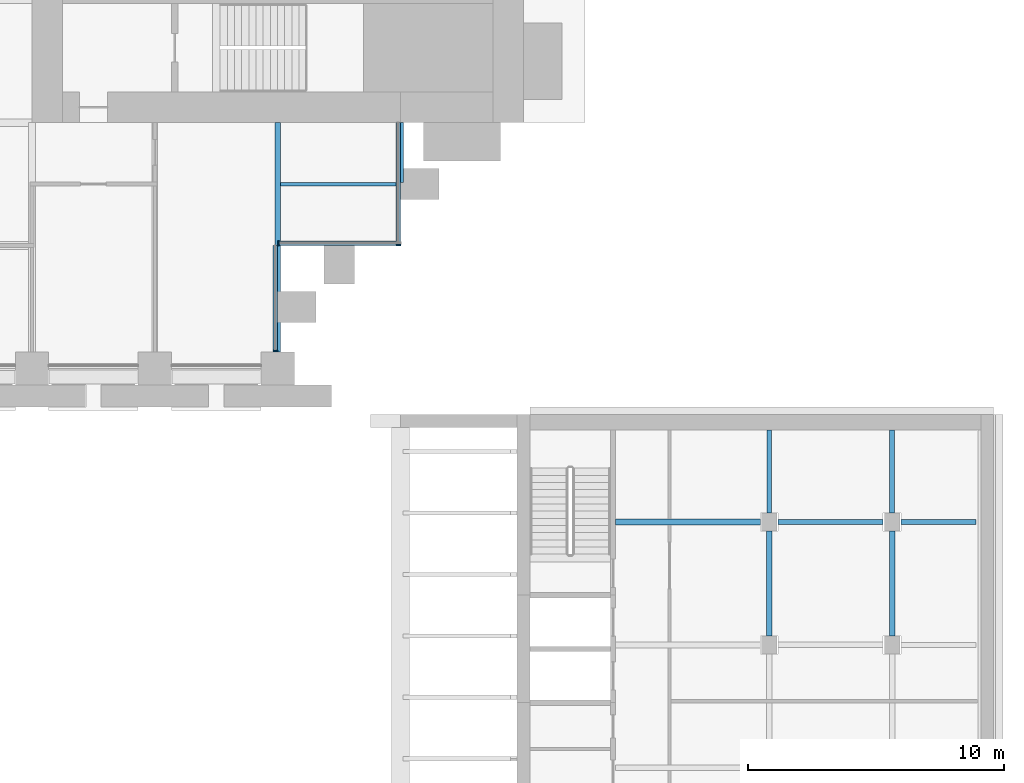
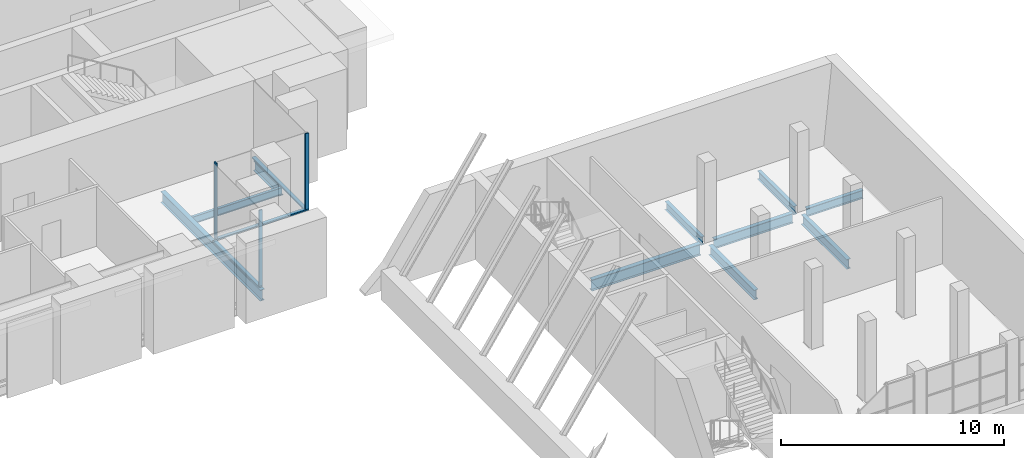
# One storey, part 13 of 32: 10 beams, 6 members, 3 elements without a shape of their own.
"""IFC4 building model written with IfcOpenShell, lengths in metres."""

from ifc_helpers import new_model, si_unit, direction, frame, origin, origin_2d, place, context, subcontext, project, spatial, rectangle, i_section, extrude, material, material_profile, profile_set, type_object, element, aggregate, save


model = new_model("IFC4")

# Units and contexts
model_context = context("Model", 3, precision=1e-05, world=origin(), true_north=direction((0.0, 1.0)))
body_context = subcontext(model_context, "Body", "Model", "MODEL_VIEW")
ifc_project = project(units=[si_unit("LENGTHUNIT", "METRE"), si_unit("AREAUNIT", "SQUARE_METRE"), si_unit("VOLUMEUNIT", "CUBIC_METRE"), si_unit("PLANEANGLEUNIT", "RADIAN"), si_unit("MASSUNIT", "GRAM", prefix="KILO")], contexts=[model_context])

# Site, building, storey
site_placement = place(None, origin())
site = spatial("IfcSite", under=ifc_project, at=site_placement, CompositionType="ELEMENT")
building_placement = place(site_placement, origin())
building = spatial("IfcBuilding", under=site, at=building_placement, Name="Baori Bourse Tower", CompositionType="ELEMENT")
storey_placement = place(building_placement, frame((0.0, 0.0, 21.39990234375)))
storey = spatial("IfcBuildingStorey", under=building, at=storey_placement, Name="L03", CompositionType="ELEMENT", Elevation=21.39990234375)

# Curtain wall, member
ifc_material_1 = material(Name="Pale anodised aluminium", Category="aluminium")
curtain_wall_type = type_object("IfcCurtainWallType", Name="CW2 Curtain wall", PredefinedType="NOTDEFINED", material=ifc_material_1)
curtain_wall_1_placement = place(storey_placement, origin())
curtain_wall_1 = element("IfcCurtainWall", 1, at=curtain_wall_1_placement, inside=storey, type_object=curtain_wall_type, Name="Curtain wall CW2 L03 16", PredefinedType="NOTDEFINED")
ifc_material_2 = material(Name="Pale anodised aluminium", Category="aluminium")
ifc_material_profile_1 = material_profile(ifc_material_2, rectangle(XDim=0.179931640625, YDim=0.054931640625, at=origin_2d()), Name="Mullion 55x180")
ifc_profile_set_1 = profile_set([ifc_material_profile_1], Name="Pale anodised aluminium")
member_type_1 = type_object("IfcMemberType", Name="CW2 Curtain wall mullion", PredefinedType="MULLION", material=ifc_profile_set_1)
member_1_placement = place(storey_placement, frame((47.909912109375, 0.677490234375, 0.070068359375), z_axis=(0.0, 0.0, 1.0), x_axis=(-1.0, 0.0, 0.0)))
member_1 = element("IfcMember", 2, at=member_1_placement, type_object=member_type_1, Name="Curtain wall CW2 mullion", PredefinedType="MULLION", context=body_context, shape_type="SweptSolid", body=[
    extrude(rectangle(XDim=0.179931640625, YDim=0.054931640625, at=origin_2d()), origin(), (0.0, 0.0, 1.0), 4.169921875),
])

curtain_wall_2_placement = place(storey_placement, origin())
curtain_wall_2 = element("IfcCurtainWall", 3, at=curtain_wall_2_placement, inside=storey, type_object=curtain_wall_type, Name="Curtain wall CW2 L03 17", PredefinedType="NOTDEFINED")
member_2_placement = place(storey_placement, frame((48.027587890625, 4.889892578125, 0.070068359375), z_axis=(0.0, 0.0, 1.0), x_axis=(0.0, 1.0, 0.0)))
member_2 = element("IfcMember", 4, at=member_2_placement, type_object=member_type_1, Name="Curtain wall CW2 mullion", PredefinedType="MULLION", context=body_context, shape_type="SweptSolid", body=[
    extrude(rectangle(XDim=0.179931640625, YDim=0.054931640625, at=origin_2d()), origin(), (0.0, 0.0, 1.0), 4.169921875),
])

curtain_wall_3_placement = place(storey_placement, origin())
curtain_wall_3 = element("IfcCurtainWall", 5, at=curtain_wall_3_placement, inside=storey, type_object=curtain_wall_type, Name="Curtain wall CW2 L03 18", PredefinedType="NOTDEFINED")
member_3_placement = place(storey_placement, frame((52.7099609375, 4.827392578125, 0.070068359375), z_axis=(0.0, 0.0, 1.0), x_axis=(-1.0, 0.0, 0.0)))
member_3 = element("IfcMember", 6, at=member_3_placement, type_object=member_type_1, Name="Curtain wall CW2 mullion", PredefinedType="MULLION", context=body_context, shape_type="SweptSolid", body=[
    extrude(rectangle(XDim=0.179931640625, YDim=0.054931640625, at=origin_2d()), origin(), (0.0, 0.0, 1.0), 4.169921875),
])

# Member
ifc_material_3 = material(Name="Pale anodised aluminium", Category="aluminium")
ifc_material_profile_2 = material_profile(ifc_material_3, rectangle(XDim=0.179931640625, YDim=0.070068359375, at=origin_2d()), Name="Transom 70x180")
ifc_profile_set_2 = profile_set([ifc_material_profile_2], Name="Pale anodised aluminium")
member_type_2 = type_object("IfcMemberType", Name="CW2 Curtain wall transom", PredefinedType="USERDEFINED", material=ifc_profile_set_2)
member_4_placement = place(storey_placement, frame((47.909912109375, 0.64990234375, 0.03515625), z_axis=(0.0, 1.0, 0.0), x_axis=(-1.0, 0.0, 0.0)))
member_4 = element("IfcMember", 7, at=member_4_placement, type_object=member_type_2, Name="Curtain wall CW2 sill rail", ObjectType="TRANSOM", PredefinedType="USERDEFINED", context=body_context, shape_type="SweptSolid", body=[
    extrude(rectangle(XDim=0.179931640625, YDim=0.070068359375, at=origin_2d()), origin(), (0.0, 0.0, 1.0), 4.150146484375),
])

aggregate(curtain_wall_1, [member_4, member_1])

member_5_placement = place(storey_placement, frame((48.0, 4.889892578125, 0.03515625), z_axis=(1.0, 0.0, 0.0), x_axis=(0.0, 1.0, 0.0)))
member_5 = element("IfcMember", 8, at=member_5_placement, type_object=member_type_2, Name="Curtain wall CW2 sill rail", ObjectType="TRANSOM", PredefinedType="USERDEFINED", context=body_context, shape_type="SweptSolid", body=[
    extrude(rectangle(XDim=0.179931640625, YDim=0.070068359375, at=origin_2d()), origin(), (0.0, 0.0, 1.0), 4.800048828125),
])

aggregate(curtain_wall_2, [member_5, member_2])

member_6_placement = place(storey_placement, frame((52.7099609375, 4.800048828125, 0.03515625), z_axis=(0.0, 1.0, 0.0), x_axis=(-1.0, 0.0, 0.0)))
member_6 = element("IfcMember", 9, at=member_6_placement, type_object=member_type_2, Name="Curtain wall CW2 sill rail", ObjectType="TRANSOM", PredefinedType="USERDEFINED", context=body_context, shape_type="SweptSolid", body=[
    extrude(rectangle(XDim=0.179931640625, YDim=0.070068359375, at=origin_2d()), origin(), (0.0, 0.0, 1.0), 4.800048828125),
])

aggregate(curtain_wall_3, [member_6, member_3])

# Beams
ifc_material_4 = material(Name="Steel A992 Gr 50", Category="steel")
ifc_material_profile_3 = material_profile(ifc_material_4, i_section(OverallWidth=0.21240234375, OverallDepth=0.54345703125, WebThickness=0.01318359375, FlangeThickness=0.021240234375, at=origin_2d()), Name="W21x83")
ifc_profile_set_3 = profile_set([ifc_material_profile_3], Name="Steel A992 Gr 50")
beam_type_1 = type_object("IfcBeamType", Name="Core bracket W21x83", PredefinedType="BEAM", material=ifc_profile_set_3)
beam_1_placement = place(storey_placement, frame((52.800048828125, 7.270263671875, -0.431640625), z_axis=(0.0, 1.0, 0.0), x_axis=(-1.0, 0.0, 0.0)))
element("IfcBeam", 10, at=beam_1_placement, inside=storey, type_object=beam_type_1, Name="Core bracket L03", PredefinedType="BEAM", context=body_context, shape_type="SweptSolid", body=[
    extrude(i_section(OverallWidth=0.21240234375, OverallDepth=0.54345703125, WebThickness=0.01318359375, FlangeThickness=0.021240234375, at=origin_2d()), origin(), (0.0, 0.0, 1.0), 2.329833984375),
])
ifc_material_5 = material(Name="Steel A992 Gr 50", Category="steel")
ifc_material_profile_4 = material_profile(ifc_material_5, i_section(OverallWidth=0.227783203125, OverallDepth=0.60205078125, WebThickness=0.010498046875, FlangeThickness=0.014892578125, at=origin_2d()), Name="W24x68")
ifc_profile_set_4 = profile_set([ifc_material_profile_4], Name="Steel A992 Gr 50")
beam_type_2 = type_object("IfcBeamType", Name="Floor beam W24x68", PredefinedType="BEAM", material=ifc_profile_set_4)
beam_2_placement = place(storey_placement, frame((48.0, 0.64990234375, -0.4609375), z_axis=(0.0, 1.0, 0.0), x_axis=(-1.0, 0.0, 0.0)))
element("IfcBeam", 11, at=beam_2_placement, inside=storey, type_object=beam_type_2, Name="Floor beam L03", PredefinedType="BEAM", context=body_context, shape_type="SweptSolid", body=[
    extrude(i_section(OverallWidth=0.227783203125, OverallDepth=0.60205078125, WebThickness=0.010498046875, FlangeThickness=0.014892578125, at=origin_2d()), origin(), (0.0, 0.0, 1.0), 8.9501953125),
])
ifc_material_6 = material(Name="Steel A992 Gr 50", Category="steel")
ifc_material_profile_5 = material_profile(ifc_material_6, i_section(OverallWidth=0.140380859375, OverallDepth=0.40380859375, WebThickness=0.007080078125, FlangeThickness=0.01123046875, at=origin_2d()), Name="W16x31")
ifc_profile_set_5 = profile_set([ifc_material_profile_5], Name="Steel A992 Gr 50")
beam_type_3 = type_object("IfcBeamType", Name="Trimmer beam W16x31", PredefinedType="BEAM", material=ifc_profile_set_5)
beam_3_placement = place(storey_placement, frame((48.114013671875, 7.199951171875, -0.36181640625), z_axis=(1.0, 0.0, 0.0), x_axis=(0.0, 1.0, 0.0)))
element("IfcBeam", 12, at=beam_3_placement, inside=storey, type_object=beam_type_3, Name="Trimmer beam L03", PredefinedType="BEAM", context=body_context, shape_type="SweptSolid", body=[
    extrude(i_section(OverallWidth=0.140380859375, OverallDepth=0.40380859375, WebThickness=0.007080078125, FlangeThickness=0.01123046875, at=origin_2d()), origin(), (0.0, 0.0, 1.0), 4.68603515625),
])
ifc_material_7 = material(Name="Steel A992 Gr 50", Category="steel")
ifc_material_profile_6 = material_profile(ifc_material_7, i_section(OverallWidth=0.1904296875, OverallDepth=0.457275390625, WebThickness=0.009033203125, FlangeThickness=0.014404296875, at=origin_2d()), Name="W18x50")
ifc_profile_set_6 = profile_set([ifc_material_profile_6], Name="Steel A992 Gr 50")
beam_type_4 = type_object("IfcBeamType", Name="Wing beam W18x50", PredefinedType="BEAM", material=ifc_profile_set_6)
beam_4_placement = place(storey_placement, frame((75.276611328125, -6.0, -0.388427734375), z_axis=(-1.0, 0.0, 0.0), x_axis=(0.0, -1.0, 0.0)))
element("IfcBeam", 13, at=beam_4_placement, inside=storey, type_object=beam_type_4, Name="wing/L03/Ebeam/013", PredefinedType="BEAM", context=body_context, shape_type="SweptSolid", body=[
    extrude(i_section(OverallWidth=0.1904296875, OverallDepth=0.457275390625, WebThickness=0.009033203125, FlangeThickness=0.014404296875, at=origin_2d()), origin(), (0.0, 0.0, 1.0), 2.926513671875),
])
for number, where, z_axis, x_axis, name in (
    (14, (72.0, -5.64990234375, -0.388427734375), (0.0, 1.0, 0.0), (-1.0, 0.0, 0.0), "wing/L03/Ebeamy/005"),
    (15, (67.199951171875, -5.64990234375, -0.388427734375), (0.0, 1.0, 0.0), (-1.0, 0.0, 0.0), "wing/L03/Ebeamy/010"),
):
    element("IfcBeam", number, at=place(storey_placement, frame(where, z_axis=z_axis, x_axis=x_axis)), inside=storey, type_object=beam_type_4, Name=name, PredefinedType="BEAM", context=body_context, shape_type="SweptSolid", body=[
        extrude(i_section(OverallWidth=0.1904296875, OverallDepth=0.457275390625, WebThickness=0.009033203125, FlangeThickness=0.014404296875, at=origin_2d()), origin(), (0.0, 0.0, 1.0), 3.25),
    ])
ifc_material_8 = material(Name="Steel A992 Gr 50", Category="steel")
ifc_material_profile_7 = material_profile(ifc_material_8, i_section(OverallWidth=0.209228515625, OverallDepth=0.533447265625, WebThickness=0.01025390625, FlangeThickness=0.015625, at=origin_2d()), Name="W21x62")
ifc_profile_set_7 = profile_set([ifc_material_profile_7], Name="Steel A992 Gr 50")
beam_type_5 = type_object("IfcBeamType", Name="Wing beam W21x62", PredefinedType="BEAM", material=ifc_profile_set_7)
for number, where, z_axis, x_axis, name in (
    (16, (71.64990234375, -6.0, -0.426513671875), (-1.0, 0.0, 0.0), (0.0, -1.0, 0.0), "wing/L03/Ebeam/014"),
    (17, (72.0, -10.449951171875, -0.426513671875), (0.0, 1.0, 0.0), (-1.0, 0.0, 0.0), "wing/L03/Ebeamy/004"),
    (18, (67.199951171875, -10.449951171875, -0.426513671875), (0.0, 1.0, 0.0), (-1.0, 0.0, 0.0), "wing/L03/Ebeamy/009"),
):
    element("IfcBeam", number, at=place(storey_placement, frame(where, z_axis=z_axis, x_axis=x_axis)), inside=storey, type_object=beam_type_5, Name=name, PredefinedType="BEAM", context=body_context, shape_type="SweptSolid", body=[
        extrude(i_section(OverallWidth=0.209228515625, OverallDepth=0.533447265625, WebThickness=0.01025390625, FlangeThickness=0.015625, at=origin_2d()), origin(), (0.0, 0.0, 1.0), 4.099853515625),
    ])
ifc_material_9 = material(Name="Steel A992 Gr 50", Category="steel")
ifc_material_profile_8 = material_profile(ifc_material_9, i_section(OverallWidth=0.22900390625, OverallDepth=0.612060546875, WebThickness=0.011962890625, FlangeThickness=0.01953125, at=origin_2d()), Name="W24x84")
ifc_profile_set_8 = profile_set([ifc_material_profile_8], Name="Steel A992 Gr 50")
beam_type_6 = type_object("IfcBeamType", Name="Wing beam W24x84", PredefinedType="BEAM", material=ifc_profile_set_8)
beam_5_placement = place(storey_placement, frame((66.85009765625, -6.0, -0.466064453125), z_axis=(-1.0, 0.0, 0.0), x_axis=(0.0, -1.0, 0.0)))
element("IfcBeam", 19, at=beam_5_placement, inside=storey, type_object=beam_type_6, Name="wing/L03/Ebeam/015", PredefinedType="BEAM", context=body_context, shape_type="SweptSolid", body=[
    extrude(i_section(OverallWidth=0.22900390625, OverallDepth=0.612060546875, WebThickness=0.011962890625, FlangeThickness=0.01953125, at=origin_2d()), origin(), (0.0, 0.0, 1.0), 5.650146484375),
])

save(model, "model.ifc")
